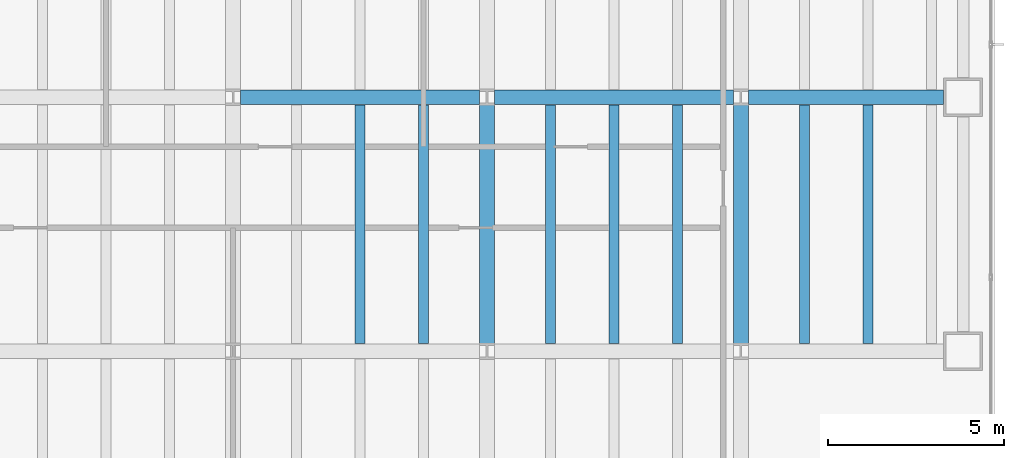
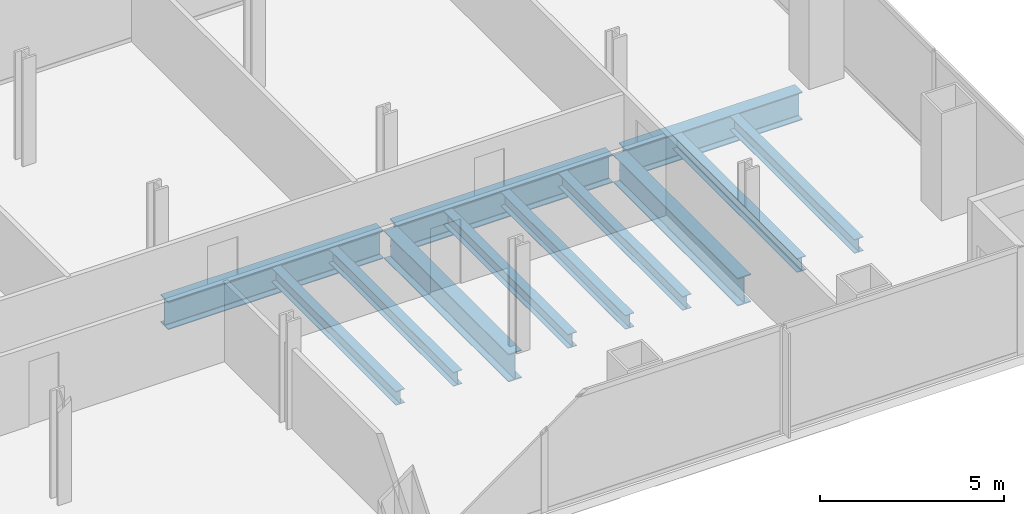
# One storey, part 9 of 25: 12 beams.
"""IFC4 building model written with IfcOpenShell, lengths in metres."""

import ifcopenshell
import ifcopenshell.guid

model = None  # the IFC model being written
_history = None  # IfcOwnerHistory: only IFC2X3 demands one
_inside = {}  # id of a spatial element -> (the spatial element, [elements in it])
_under = {}  # id of a project, library or spatial element -> (it, [spatial elements below it])
_declared = {}  # id of a project -> (the project, [libraries it declares])
_typed = {}  # id of a type object -> (the type object, [elements of that type])
_made_of = {}  # id of a material, layer set ... -> (it, [elements and type objects made of it])


def new_model(schema):
    """Start an empty IFC model of exactly this schema.

    Asked for "IFC4X3", IfcOpenShell would pick the latest addendum, in which some entities
    have other attributes; the version numbers below select the first issue.
    IFC2X3 requires an IfcOwnerHistory on every rooted entity: one is made here for all.
    """
    global model, _history
    if schema == "IFC4X3":
        model = ifcopenshell.file(schema_version=(4, 3, 0, 0))
    else:
        model = ifcopenshell.file(schema=schema)
    _inside.clear()
    _under.clear()
    _declared.clear()
    _typed.clear()
    _made_of.clear()
    _history = None
    if model.schema == "IFC2X3":
        org = make("IfcOrganization", Name="unknown")
        user = make(
            "IfcPersonAndOrganization",
            ThePerson=make("IfcPerson", FamilyName="unknown"),
            TheOrganization=org,
        )
        app = make(
            "IfcApplication",
            ApplicationDeveloper=org,
            Version="unknown",
            ApplicationFullName="unknown",
            ApplicationIdentifier="unknown",
        )
        _history = make(
            "IfcOwnerHistory",
            OwningUser=user,
            OwningApplication=app,
            ChangeAction="ADDED",
            CreationDate=0,
        )
    return model


def make(cls, **values):
    """One entity of the class cls with the attributes given. An attribute that is None is left unset."""
    return model.create_entity(
        cls, **{name: value for name, value in values.items() if value is not None}
    )


def rooted(cls, **values):
    """An entity with a GlobalId (a new one), such as an element, a storey or a relation."""
    return make(cls, GlobalId=ifcopenshell.guid.new(), OwnerHistory=_history, **values)


def si_unit(unit_type, name, prefix=None):
    """IfcSIUnit, for example si_unit("LENGTHUNIT", "METRE", prefix="MILLI")."""
    return make("IfcSIUnit", UnitType=unit_type, Prefix=prefix, Name=name)


def assignment(units):
    """IfcUnitAssignment: the units of a project."""
    return None if units is None else make("IfcUnitAssignment", Units=units)


def point(xyz):
    """IfcCartesianPoint."""
    return None if xyz is None else make("IfcCartesianPoint", Coordinates=xyz)


def direction(xyz):
    """IfcDirection."""
    return None if xyz is None else make("IfcDirection", DirectionRatios=xyz)


def frame(location, z_axis=None, x_axis=None):
    """IfcAxis2Placement3D, a coordinate frame: its origin and axes. An axis left out is left unset."""
    return make(
        "IfcAxis2Placement3D",
        Location=point(location),
        Axis=direction(z_axis),
        RefDirection=direction(x_axis),
    )


def frame_2d(location, x_axis=None):
    """IfcAxis2Placement2D, a coordinate frame in the plane: its origin and x axis."""
    return make(
        "IfcAxis2Placement2D", Location=point(location), RefDirection=direction(x_axis)
    )


def origin():
    """The frame at (0, 0, 0) with its axes left unset."""
    return frame((0.0, 0.0, 0.0))


def origin_2d():
    """The frame at (0, 0) in the plane with its x axis left unset."""
    return frame_2d((0.0, 0.0))


def place(relative_to, where):
    """IfcLocalPlacement: puts the frame where relative to a parent placement (None: the world)."""
    return make(
        "IfcLocalPlacement", PlacementRelTo=relative_to, RelativePlacement=where
    )


def context(
    kind, dimensions, precision=None, world=None, true_north=None, identifier=None
):
    """IfcGeometricRepresentationContext, for example the 3D "Model" context."""
    return make(
        "IfcGeometricRepresentationContext",
        ContextIdentifier=identifier,
        ContextType=kind,
        CoordinateSpaceDimension=dimensions,
        Precision=precision,
        WorldCoordinateSystem=world,
        TrueNorth=true_north,
    )


def subcontext(parent, identifier, kind, view, scale=None):
    """IfcGeometricRepresentationSubContext, for example "Body" below "Model"."""
    return make(
        "IfcGeometricRepresentationSubContext",
        ContextIdentifier=identifier,
        ContextType=kind,
        ParentContext=parent,
        TargetScale=scale,
        TargetView=view,
    )


def project(units=None, contexts=None):
    """IfcProject with its units and contexts."""
    return rooted(
        "IfcProject",
        Name="project",
        RepresentationContexts=contexts,
        UnitsInContext=assignment(units),
    )


def spatial(cls, under=None, at=None, **own):
    """A site, building, storey or space (cls), placed at a placement, below another one or the project."""
    s = rooted(cls, ObjectPlacement=at, **own)
    if under is not None:
        _under.setdefault(under.id(), (under, []))[1].append(s)
    return s


def profile(cls, at=None, kind="AREA", **sizes):
    """A parametric profile (cls). Its sizes go by their IFC names, for example OverallWidth=200.0."""
    return make(cls, ProfileType=kind, Position=at, **sizes)


def i_section(**sizes):
    """IfcIShapeProfileDef."""
    return profile("IfcIShapeProfileDef", **sizes)


def extrude(swept, where, along, depth):
    """IfcExtrudedAreaSolid: the profile swept, set in the frame where, extruded along a direction by depth."""
    return make(
        "IfcExtrudedAreaSolid",
        SweptArea=swept,
        Position=where,
        ExtrudedDirection=direction(along),
        Depth=depth,
    )


def shape(context_of_items, identifier, shape_type, items):
    """IfcShapeRepresentation: the items that make up one representation, for example the "Body"."""
    return make(
        "IfcShapeRepresentation",
        ContextOfItems=context_of_items,
        RepresentationIdentifier=identifier,
        RepresentationType=shape_type,
        Items=items,
    )


def material(Name=None, Category=None):
    """IfcMaterial."""
    return make("IfcMaterial", Name=Name, Category=Category)


def material_profile(
    of_material, cross_section, Name=None, Category=None, Priority=None
):
    """IfcMaterialProfile: a cross section and its material."""
    return make(
        "IfcMaterialProfile",
        Name=Name,
        Material=of_material,
        Profile=cross_section,
        Priority=Priority,
        Category=Category,
    )


def profile_set(profiles, Name=None, composite=None):
    """IfcMaterialProfileSet."""
    return make(
        "IfcMaterialProfileSet",
        Name=Name,
        MaterialProfiles=profiles,
        CompositeProfile=composite,
    )


def made_of(thing, what):
    """Note that an element or type object is made of a material, layer set ...; save() writes the relation."""
    if what is not None:
        _made_of.setdefault(what.id(), (what, []))[1].append(thing)
    return thing


def type_object(cls, material=None, **own):
    """A type object (cls), such as IfcWallType, which elements share."""
    return made_of(rooted(cls, **own), material)


def element(
    cls,
    number,
    at=None,
    inside=None,
    cuts=None,
    type_object=None,
    material=None,
    context=None,
    identifier="Body",
    shape_type=None,
    held_by="IfcProductDefinitionShape",
    body=None,
    shapes=None,
    **own,
):
    """One element of the class cls, such as IfcWall. Its Tag is "e" and its number.

    at: its placement. inside: the storey or other place that contains it. cuts: it is an
    opening in that element (IfcRelVoidsElement). A single representation is given by context,
    identifier, shape_type and body (its items); several are given by shapes. held_by: the class
    of the entity that holds the representations. save() writes the other relations.
    """
    e = rooted(cls, Tag="e%d" % number, ObjectPlacement=at, **own)
    if body is not None:
        shapes = [shape(context, identifier, shape_type, body)]
    if shapes is not None:
        e.Representation = make(held_by, Representations=shapes)
    if inside is not None:
        _inside.setdefault(inside.id(), (inside, []))[1].append(e)
    if cuts is not None:
        rooted(
            "IfcRelVoidsElement", RelatingBuildingElement=cuts, RelatedOpeningElement=e
        )
    if type_object is not None:
        _typed.setdefault(type_object.id(), (type_object, []))[1].append(e)
    return made_of(e, material)


def aggregate(whole, parts):
    """IfcRelAggregates: a whole, such as a stair, and the parts it consists of."""
    return rooted("IfcRelAggregates", RelatingObject=whole, RelatedObjects=parts)


def save(model, path):
    """Write the relations noted so far, then the file.

    IfcRelAggregates (storeys below a building ...), IfcRelContainedInSpatialStructure (elements
    in a storey), IfcRelDefinesByType, IfcRelAssociatesMaterial and IfcRelDeclares: one each for
    every whole, place, type object, material and project.
    """
    for whole, parts in _under.values():
        aggregate(whole, parts)
    for where, things in _inside.values():
        rooted(
            "IfcRelContainedInSpatialStructure",
            RelatedElements=things,
            RelatingStructure=where,
        )
    for kind, things in _typed.values():
        rooted("IfcRelDefinesByType", RelatedObjects=things, RelatingType=kind)
    for what, things in _made_of.values():
        rooted("IfcRelAssociatesMaterial", RelatedObjects=things, RelatingMaterial=what)
    for by, libraries in _declared.values():
        rooted("IfcRelDeclares", RelatingContext=by, RelatedDefinitions=libraries)
    model.write(path)


model = new_model("IFC4")

# Units and contexts
model_context = context("Model", 3, precision=1e-05, world=origin(), true_north=direction((0.0, 1.0)))
body_context = subcontext(model_context, "Body", "Model", "MODEL_VIEW")
ifc_project = project(units=[si_unit("LENGTHUNIT", "METRE"), si_unit("AREAUNIT", "SQUARE_METRE"), si_unit("VOLUMEUNIT", "CUBIC_METRE"), si_unit("PLANEANGLEUNIT", "RADIAN"), si_unit("MASSUNIT", "GRAM", prefix="KILO")], contexts=[model_context])

# Site, building, storey
site_placement = place(None, origin())
site = spatial("IfcSite", under=ifc_project, at=site_placement, CompositionType="ELEMENT")
building_placement = place(site_placement, origin())
building = spatial("IfcBuilding", under=site, at=building_placement, Name="Cobrela Telecom Tower", CompositionType="ELEMENT")
storey_placement = place(building_placement, frame((0.0, 0.0, 35.0)))
storey = spatial("IfcBuildingStorey", under=building, at=storey_placement, Name="L08", CompositionType="ELEMENT", Elevation=35.0)

# Beams
ifc_material = material(Name="Steel ASTM A992 Grade 50", Category="steel")
ifc_material_profile_1 = material_profile(ifc_material, i_section(OverallWidth=0.4189453125, OverallDepth=0.927001953125, WebThickness=0.019287109375, FlangeThickness=0.031982421875, FilletRadius=0.02392578125, at=origin_2d()), Name="W36X231")
ifc_profile_set_1 = profile_set([ifc_material_profile_1], Name="Steel ASTM A992 Grade 50")
beam_type_1 = type_object("IfcBeamType", Name="BM-GIRD-02", PredefinedType="USERDEFINED", material=ifc_profile_set_1)
for number, where, z_axis, x_axis, name in (
    (1, (29.01611328125, 14.39990234375, -0.743408203125), (1.0, 0.0, 0.0), (0.0, 1.0, 0.0), "L08 Primary Girder X15"),
    (2, (36.216064453125, 14.39990234375, -0.743408203125), (1.0, 0.0, 0.0), (0.0, 1.0, 0.0), "L08 Primary Girder X16"),
):
    element("IfcBeam", number, at=place(storey_placement, frame(where, z_axis=z_axis, x_axis=x_axis)), inside=storey, type_object=beam_type_1, Name=name, ObjectType="GIRDER", PredefinedType="USERDEFINED", context=body_context, shape_type="SweptSolid", body=[
        extrude(i_section(OverallWidth=0.4189453125, OverallDepth=0.927001953125, WebThickness=0.019287109375, FlangeThickness=0.031982421875, FilletRadius=0.02392578125, at=origin_2d()), origin(), (0.0, 0.0, 1.0), 6.767822265625),
    ])
beam_placement = place(storey_placement, frame((43.416015625, 14.39990234375, -0.743408203125), z_axis=(1.0, 0.0, 0.0), x_axis=(0.0, 1.0, 0.0)))
element("IfcBeam", 3, at=beam_placement, inside=storey, type_object=beam_type_1, Name="L08 Primary Girder X17", ObjectType="GIRDER", PredefinedType="USERDEFINED", context=body_context, shape_type="SweptSolid", body=[
    extrude(i_section(OverallWidth=0.4189453125, OverallDepth=0.927001953125, WebThickness=0.019287109375, FlangeThickness=0.031982421875, FilletRadius=0.02392578125, at=origin_2d()), origin(), (0.0, 0.0, 1.0), 5.529052734375),
])
for number, where, z_axis, x_axis, name in (
    (4, (36.0, 7.416015625, -0.743408203125), (0.0, 1.0, 0.0), (-1.0, 0.0, 0.0), "L08 Primary Girder Y51"),
    (5, (43.199951171875, 7.416015625, -0.743408203125), (0.0, 1.0, 0.0), (-1.0, 0.0, 0.0), "L08 Primary Girder Y54"),
):
    element("IfcBeam", number, at=place(storey_placement, frame(where, z_axis=z_axis, x_axis=x_axis)), inside=storey, type_object=beam_type_1, Name=name, ObjectType="GIRDER", PredefinedType="USERDEFINED", context=body_context, shape_type="SweptSolid", body=[
        extrude(i_section(OverallWidth=0.4189453125, OverallDepth=0.927001953125, WebThickness=0.019287109375, FlangeThickness=0.031982421875, FilletRadius=0.02392578125, at=origin_2d()), origin(), (0.0, 0.0, 1.0), 6.76806640625),
    ])
ifc_material_profile_2 = material_profile(ifc_material, i_section(OverallWidth=0.281982421875, OverallDepth=0.467041015625, WebThickness=0.01220703125, FlangeThickness=0.01953125, FilletRadius=0.012939453125, at=origin_2d()), Name="W18X86")
ifc_profile_set_2 = profile_set([ifc_material_profile_2], Name="Steel ASTM A992 Grade 50")
beam_type_2 = type_object("IfcBeamType", Name="BM-JOIST-02", PredefinedType="JOIST", material=ifc_profile_set_2)
for number, where, z_axis, x_axis, name in (
    (6, (32.39990234375, 7.41455078125, -0.513427734375), (0.0, 1.0, 0.0), (-1.0, 0.0, 0.0), "L08 Secondary Composite Floor Beam J45"),
    (7, (34.199951171875, 7.41455078125, -0.513427734375), (0.0, 1.0, 0.0), (-1.0, 0.0, 0.0), "L08 Secondary Composite Floor Beam J48"),
    (8, (37.800048828125, 7.41455078125, -0.513427734375), (0.0, 1.0, 0.0), (-1.0, 0.0, 0.0), "L08 Secondary Composite Floor Beam J51"),
    (9, (39.60009765625, 7.41455078125, -0.513427734375), (0.0, 1.0, 0.0), (-1.0, 0.0, 0.0), "L08 Secondary Composite Floor Beam J54"),
    (10, (41.39990234375, 7.41455078125, -0.513427734375), (0.0, 1.0, 0.0), (-1.0, 0.0, 0.0), "L08 Secondary Composite Floor Beam J57"),
    (11, (45.0, 7.41455078125, -0.513427734375), (0.0, 1.0, 0.0), (-1.0, 0.0, 0.0), "L08 Secondary Composite Floor Beam J59"),
    (12, (46.800048828125, 7.41455078125, -0.513427734375), (0.0, 1.0, 0.0), (-1.0, 0.0, 0.0), "L08 Secondary Composite Floor Beam J61"),
):
    element("IfcBeam", number, at=place(storey_placement, frame(where, z_axis=z_axis, x_axis=x_axis)), inside=storey, type_object=beam_type_2, Name=name, PredefinedType="JOIST", context=body_context, shape_type="SweptSolid", body=[
        extrude(i_section(OverallWidth=0.281982421875, OverallDepth=0.467041015625, WebThickness=0.01220703125, FlangeThickness=0.01953125, FilletRadius=0.012939453125, at=origin_2d()), origin(), (0.0, 0.0, 1.0), 6.77099609375),
    ])

save(model, "model.ifc")
